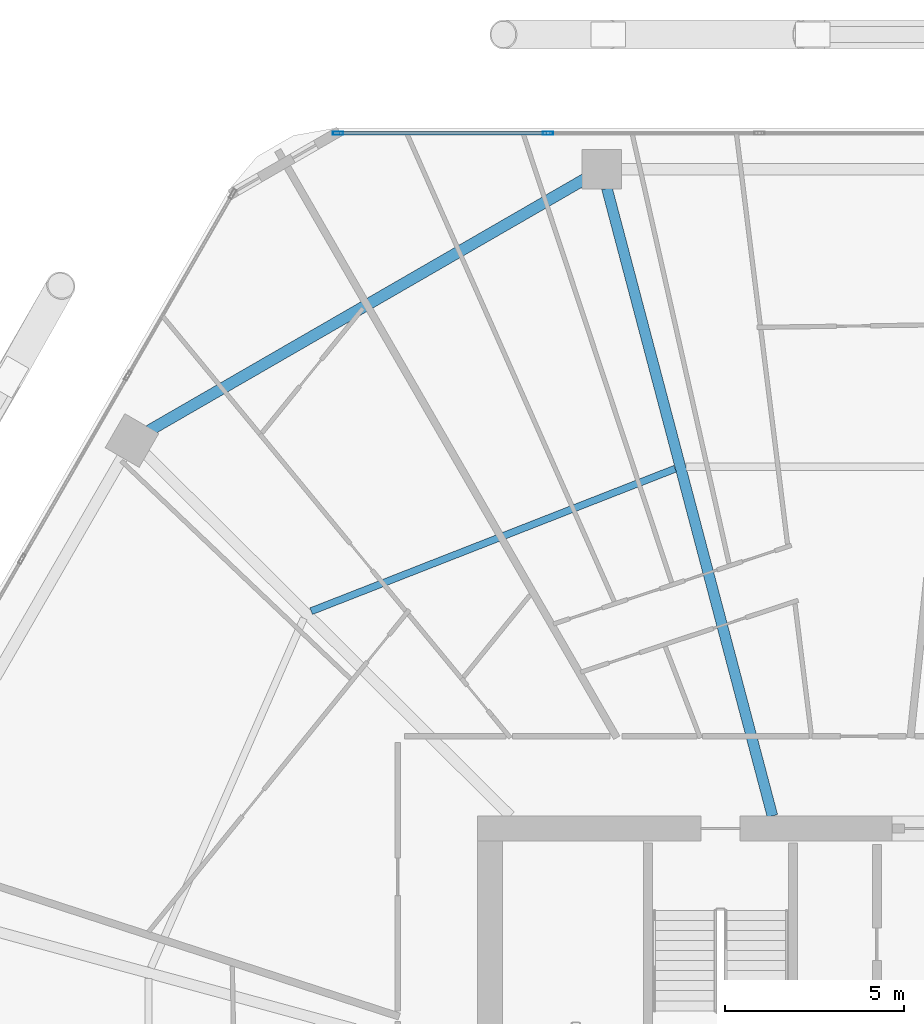
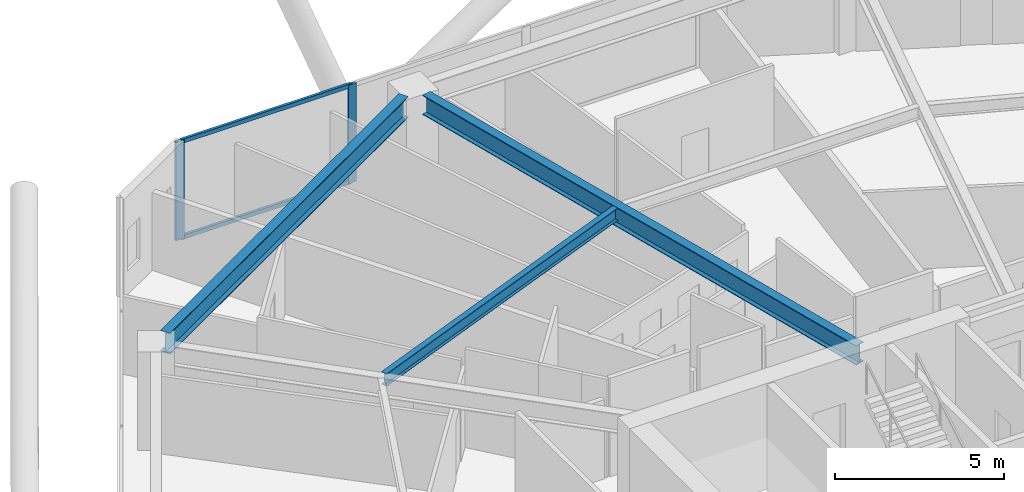
# One storey, part 17 of 34: 4 members, 3 beams, 1 element without a shape of its own.
"""IFC4 building model written with IfcOpenShell, lengths in metres."""

from ifc_helpers import new_model, si_unit, direction, frame, origin, origin_2d, place, context, subcontext, project, spatial, hollow_rectangle, i_section, extrude, material, material_profile, profile_set, type_object, element, aggregate, save


model = new_model("IFC4")

# Units and contexts
model_context = context("Model", 3, precision=1e-05, world=origin(), true_north=direction((0.0, 1.0)))
body_context = subcontext(model_context, "Body", "Model", "MODEL_VIEW")
ifc_project = project(units=[si_unit("LENGTHUNIT", "METRE"), si_unit("AREAUNIT", "SQUARE_METRE"), si_unit("VOLUMEUNIT", "CUBIC_METRE"), si_unit("PLANEANGLEUNIT", "RADIAN"), si_unit("MASSUNIT", "GRAM", prefix="KILO")], contexts=[model_context])

# Site, building, storey
site_placement = place(None, origin())
site = spatial("IfcSite", under=ifc_project, at=site_placement, CompositionType="ELEMENT")
building_placement = place(site_placement, origin())
building = spatial("IfcBuilding", under=site, at=building_placement, Name="Zuhravey Tower", CompositionType="ELEMENT")
storey_placement = place(building_placement, frame((0.0, 0.0, 100.0)))
storey = spatial("IfcBuildingStorey", under=building, at=storey_placement, Name="L24", CompositionType="ELEMENT", Elevation=100.0)

# Curtain wall, members
ifc_material_1 = material(Name="Thermally broken anodised aluminium", Category="aluminium")
curtain_wall_type = type_object("IfcCurtainWallType", Name="Zone 1-2 Residential Curtain Wall CW3", PredefinedType="NOTDEFINED", material=ifc_material_1)
curtain_wall_placement = place(storey_placement, origin())
curtain_wall = element("IfcCurtainWall", 1, at=curtain_wall_placement, inside=storey, type_object=curtain_wall_type, Name="L24 CW3 CW-L24-F2-1", PredefinedType="NOTDEFINED")
ifc_material_2 = material(Name="Anodised aluminium", Category="aluminium")
ifc_material_profile_1 = material_profile(ifc_material_2, hollow_rectangle(XDim=0.090087890625, YDim=0.284912109375, WallThickness=0.0048828125, at=origin_2d()), Name="ALU-RHS-90x285x5")
ifc_profile_set_1 = profile_set([ifc_material_profile_1], Name="Anodised aluminium")
member_type_1 = type_object("IfcMemberType", Name="Curtain-Wall Mullion 90x180", PredefinedType="MULLION", material=ifc_profile_set_1)
member_1_placement = place(storey_placement, frame((21.24560546875, 60.95849609375, 0.0), z_axis=(0.0, 0.0, 1.0), x_axis=(0.0, 1.0, 0.0)))
member_1 = element("IfcMember", 2, at=member_1_placement, type_object=member_type_1, Name="CW3 mullion 1", PredefinedType="MULLION", context=body_context, shape_type="SweptSolid", body=[
    extrude(hollow_rectangle(XDim=0.090087890625, YDim=0.284912109375, WallThickness=0.0048828125, at=origin_2d()), origin(), (0.0, 0.0, 1.0), 3.550048828125),
])
member_2_placement = place(storey_placement, frame((27.120361328125, 60.95849609375, 0.0), z_axis=(0.0, 0.0, 1.0), x_axis=(0.0, 1.0, 0.0)))
member_2 = element("IfcMember", 3, at=member_2_placement, type_object=member_type_1, Name="CW3 mullion 2", PredefinedType="MULLION", context=body_context, shape_type="SweptSolid", body=[
    extrude(hollow_rectangle(XDim=0.090087890625, YDim=0.284912109375, WallThickness=0.0048828125, at=origin_2d()), origin(), (0.0, 0.0, 1.0), 3.550048828125),
])
ifc_material_profile_2 = material_profile(ifc_material_2, hollow_rectangle(XDim=0.090087890625, YDim=0.14990234375, WallThickness=0.0048828125, at=origin_2d()), Name="ALU-RHS-90x150x5")
ifc_profile_set_2 = profile_set([ifc_material_profile_2], Name="Anodised aluminium")
member_type_2 = type_object("IfcMemberType", Name="Curtain-Wall Transom 90x150", PredefinedType="USERDEFINED", material=ifc_profile_set_2)
member_3_placement = place(storey_placement, frame((21.29052734375, 60.95849609375, 0.044921875), z_axis=(1.0, 0.0, 0.0), x_axis=(0.0, 1.0, 0.0)))
member_3 = element("IfcMember", 4, at=member_3_placement, type_object=member_type_2, Name="CW3 transom 1.1", ObjectType="TRANSOM", PredefinedType="USERDEFINED", context=body_context, shape_type="SweptSolid", body=[
    extrude(hollow_rectangle(XDim=0.090087890625, YDim=0.14990234375, WallThickness=0.0048828125, at=origin_2d()), origin(), (0.0, 0.0, 1.0), 5.78466796875),
])
member_4_placement = place(storey_placement, frame((21.29052734375, 60.95849609375, 3.5048828125), z_axis=(1.0, 0.0, 0.0), x_axis=(0.0, 1.0, 0.0)))
member_4 = element("IfcMember", 5, at=member_4_placement, type_object=member_type_2, Name="CW3 transom 1.2", ObjectType="TRANSOM", PredefinedType="USERDEFINED", context=body_context, shape_type="SweptSolid", body=[
    extrude(hollow_rectangle(XDim=0.090087890625, YDim=0.14990234375, WallThickness=0.0048828125, at=origin_2d()), origin(), (0.0, 0.0, 1.0), 5.78466796875),
])
aggregate(curtain_wall, [member_1, member_2, member_3, member_4])

# Beams
ifc_material_3 = material(Name="Steel SM355", Category="steel")
ifc_material_profile_3 = material_profile(ifc_material_3, i_section(OverallWidth=0.320068359375, OverallDepth=0.75, WebThickness=0.013916015625, FlangeThickness=0.02490234375, at=origin_2d()), Name="H-750x320x14x25")
ifc_profile_set_3 = profile_set([ifc_material_profile_3], Name="Steel SM355")
beam_type_1 = type_object("IfcBeamType", Name="Perimeter Ring Beam H750x320", PredefinedType="BEAM", material=ifc_profile_set_3)
beam_1_placement = place(storey_placement, frame((28.151123046875, 59.672119140625, 3.175048828125), z_axis=(-0.866017786538, -0.500013193225, 0.0), x_axis=(0.500013193225, -0.866017786538, 0.0)))
element("IfcBeam", 6, at=beam_1_placement, inside=storey, type_object=beam_type_1, Name="L24 PB1 BM-L24-PB-04", PredefinedType="BEAM", context=body_context, shape_type="SweptSolid", body=[
    extrude(i_section(OverallWidth=0.320068359375, OverallDepth=0.75, WebThickness=0.013916015625, FlangeThickness=0.02490234375, at=origin_2d()), origin(), (0.0, 0.0, 1.0), 14.0771484375),
])
ifc_material_profile_4 = material_profile(ifc_material_3, i_section(OverallWidth=0.300048828125, OverallDepth=0.699951171875, WebThickness=0.012939453125, FlangeThickness=0.02392578125, at=origin_2d()), Name="H-700x300x13x24")
ifc_profile_set_4 = profile_set([ifc_material_profile_4], Name="Steel SM355")
beam_type_2 = type_object("IfcBeamType", Name="Radial Primary Girder H700x300", PredefinedType="BEAM", material=ifc_profile_set_4)
beam_2_placement = place(storey_placement, frame((33.40185546875, 41.85302734375, 3.199951171875), z_axis=(-0.25498755891, 0.966944333869, 0.0), x_axis=(-0.966944333869, -0.25498755891, 0.0)))
element("IfcBeam", 7, at=beam_2_placement, inside=storey, type_object=beam_type_2, Name="L24 RG1 BM-L24-RAD-04", PredefinedType="BEAM", context=body_context, shape_type="SweptSolid", body=[
    extrude(i_section(OverallWidth=0.300048828125, OverallDepth=0.699951171875, WebThickness=0.012939453125, FlangeThickness=0.02392578125, at=origin_2d()), origin(), (0.0, 0.0, 1.0), 18.1611328125),
])
ifc_material_profile_5 = material_profile(ifc_material_3, i_section(OverallWidth=0.199951171875, OverallDepth=0.449951171875, WebThickness=0.009033203125, FlangeThickness=0.013916015625, at=origin_2d()), Name="H-450x200x9x14")
ifc_profile_set_5 = profile_set([ifc_material_profile_5], Name="Steel SM355")
beam_type_3 = type_object("IfcBeamType", Name="Secondary Floor Joist H450x200", PredefinedType="JOIST", material=ifc_profile_set_5)
beam_3_placement = place(storey_placement, frame((30.681640625, 51.568359375, 3.324951171875), z_axis=(-0.931216764731, -0.364465824302, 0.0), x_axis=(0.364465824302, -0.931216764731, 0.0)))
element("IfcBeam", 8, at=beam_3_placement, inside=storey, type_object=beam_type_3, Name="L24 SJ1 BM-L24-SJ-04-1", PredefinedType="JOIST", context=body_context, shape_type="SweptSolid", body=[
    extrude(i_section(OverallWidth=0.199951171875, OverallDepth=0.449951171875, WebThickness=0.009033203125, FlangeThickness=0.013916015625, at=origin_2d()), origin(), (0.0, 0.0, 1.0), 10.939453125),
])

save(model, "model.ifc")
